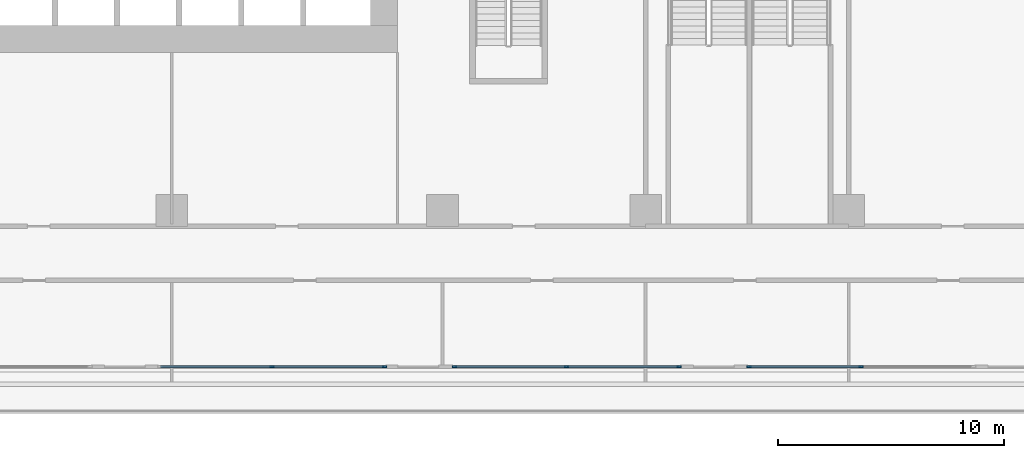
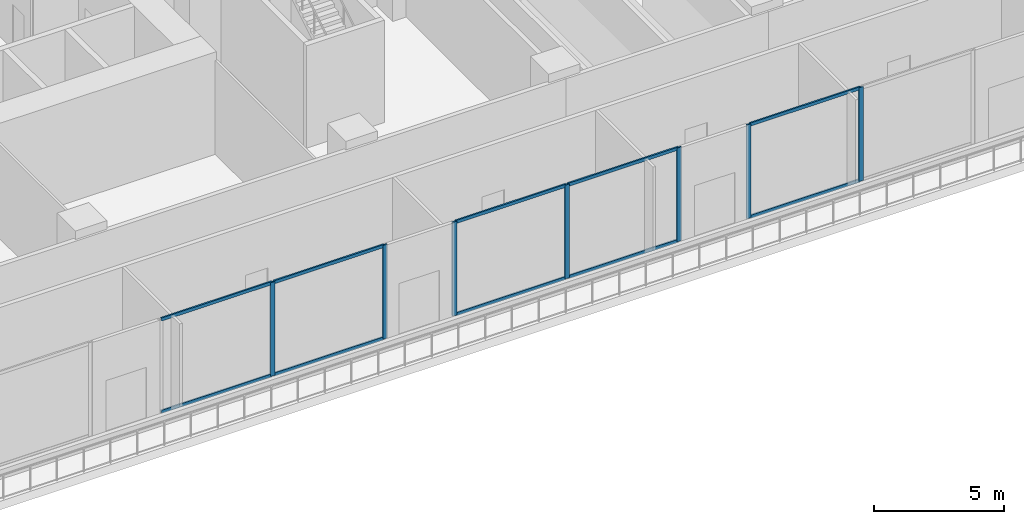
# One storey, part 3 of 25: 17 members, 3 elements without a shape of their own.
"""IFC4 building model written with IfcOpenShell, lengths in metres."""

from ifc_helpers import new_model, si_unit, direction, frame, origin, origin_2d, place, context, subcontext, project, spatial, rectangle, extrude, material, layer, layer_set, material_profile, profile_set, type_object, element, aggregate, save


model = new_model("IFC4")

# Units and contexts
model_context = context("Model", 3, precision=1e-05, world=origin(), true_north=direction((0.0, 1.0)))
body_context = subcontext(model_context, "Body", "Model", "MODEL_VIEW")
ifc_project = project(units=[si_unit("LENGTHUNIT", "METRE"), si_unit("AREAUNIT", "SQUARE_METRE"), si_unit("VOLUMEUNIT", "CUBIC_METRE"), si_unit("PLANEANGLEUNIT", "RADIAN"), si_unit("MASSUNIT", "GRAM", prefix="KILO")], contexts=[model_context])

# Site, building, storey
site_placement = place(None, origin())
site = spatial("IfcSite", under=ifc_project, at=site_placement, CompositionType="ELEMENT")
building_placement = place(site_placement, origin())
building = spatial("IfcBuilding", under=site, at=building_placement, Name="Chenar Terraces", CompositionType="ELEMENT")
storey_placement = place(building_placement, frame((0.0, 0.0, 21.60009765625)))
storey = spatial("IfcBuildingStorey", under=building, at=storey_placement, Name="L04", CompositionType="ELEMENT", Elevation=21.60009765625)

# Curtain wall, members
ifc_material_1 = material(Name="Aluminium framed glazing", Category="aluminium")
ifc_layer = layer(ifc_material_1, 0.14990234375)
ifc_layer_set = layer_set([ifc_layer], Name="Aluminium framed glazing")
curtain_wall_type = type_object("IfcCurtainWallType", Name="School curtain wall", PredefinedType="NOTDEFINED", material=ifc_layer_set)
placement = place(storey_placement, origin())
curtain_wall_1 = element("IfcCurtainWall", 1, at=placement, inside=storey, type_object=curtain_wall_type, Name="School curtain wall", PredefinedType="NOTDEFINED")
ifc_material_2 = material(Name="Aluminium", Category="aluminium")
ifc_material_profile_1 = material_profile(ifc_material_2, rectangle(XDim=0.070068359375, YDim=0.199951171875, at=origin_2d()), Name="School glazing mullion 70 x 200")
ifc_profile_set_1 = profile_set([ifc_material_profile_1], Name="Aluminium")
member_type_1 = type_object("IfcMemberType", Name="School glazing mullion 70 x 200", PredefinedType="MULLION", material=ifc_profile_set_1)
member_1_placement = place(storey_placement, frame((28.44873046875, -6.925048828125, 0.0), z_axis=(0.0, 0.0, 1.0), x_axis=(0.0, 1.0, 0.0)))
member_1 = element("IfcMember", 2, at=member_1_placement, type_object=member_type_1, Name="CW2-07c1 mullion 2", PredefinedType="MULLION", context=body_context, shape_type="SweptSolid", body=[
    extrude(rectangle(XDim=0.070068359375, YDim=0.199951171875, at=origin_2d()), origin(), (0.0, 0.0, 1.0), 4.39990234375),
])
member_2_placement = place(storey_placement, frame((33.4267578125, -6.925048828125, 0.0), z_axis=(0.0, 0.0, 1.0), x_axis=(0.0, 1.0, 0.0)))
member_2 = element("IfcMember", 3, at=member_2_placement, type_object=member_type_1, Name="CW2-07c1 mullion 3", PredefinedType="MULLION", context=body_context, shape_type="SweptSolid", body=[
    extrude(rectangle(XDim=0.070068359375, YDim=0.199951171875, at=origin_2d()), origin(), (0.0, 0.0, 1.0), 4.39990234375),
])

curtain_wall_2 = element("IfcCurtainWall", 4, at=placement, inside=storey, type_object=curtain_wall_type, Name="School curtain wall", PredefinedType="NOTDEFINED")
member_3_placement = place(storey_placement, frame((36.52197265625, -6.925048828125, 0.0), z_axis=(0.0, 0.0, 1.0), x_axis=(0.0, 1.0, 0.0)))
member_3 = element("IfcMember", 5, at=member_3_placement, type_object=member_type_1, Name="CW2-07c2 mullion 1", PredefinedType="MULLION", context=body_context, shape_type="SweptSolid", body=[
    extrude(rectangle(XDim=0.070068359375, YDim=0.199951171875, at=origin_2d()), origin(), (0.0, 0.0, 1.0), 4.39990234375),
])
member_4_placement = place(storey_placement, frame((41.5, -6.925048828125, 0.0), z_axis=(0.0, 0.0, 1.0), x_axis=(0.0, 1.0, 0.0)))
member_4 = element("IfcMember", 6, at=member_4_placement, type_object=member_type_1, Name="CW2-07c2 mullion 2", PredefinedType="MULLION", context=body_context, shape_type="SweptSolid", body=[
    extrude(rectangle(XDim=0.070068359375, YDim=0.199951171875, at=origin_2d()), origin(), (0.0, 0.0, 1.0), 4.39990234375),
])
member_5_placement = place(storey_placement, frame((46.47802734375, -6.925048828125, 0.0), z_axis=(0.0, 0.0, 1.0), x_axis=(0.0, 1.0, 0.0)))
member_5 = element("IfcMember", 7, at=member_5_placement, type_object=member_type_1, Name="CW2-07c2 mullion 3", PredefinedType="MULLION", context=body_context, shape_type="SweptSolid", body=[
    extrude(rectangle(XDim=0.070068359375, YDim=0.199951171875, at=origin_2d()), origin(), (0.0, 0.0, 1.0), 4.39990234375),
])

curtain_wall_3 = element("IfcCurtainWall", 8, at=placement, inside=storey, type_object=curtain_wall_type, Name="School curtain wall", PredefinedType="NOTDEFINED")
member_6_placement = place(storey_placement, frame((49.5732421875, -6.925048828125, 0.0), z_axis=(0.0, 0.0, 1.0), x_axis=(0.0, 1.0, 0.0)))
member_6 = element("IfcMember", 9, at=member_6_placement, type_object=member_type_1, Name="CW2-07c3 mullion 1", PredefinedType="MULLION", context=body_context, shape_type="SweptSolid", body=[
    extrude(rectangle(XDim=0.070068359375, YDim=0.199951171875, at=origin_2d()), origin(), (0.0, 0.0, 1.0), 4.39990234375),
])
member_7_placement = place(storey_placement, frame((54.55126953125, -6.925048828125, 0.0), z_axis=(0.0, 0.0, 1.0), x_axis=(0.0, 1.0, 0.0)))
member_7 = element("IfcMember", 10, at=member_7_placement, type_object=member_type_1, Name="CW2-07c3 mullion 2", PredefinedType="MULLION", context=body_context, shape_type="SweptSolid", body=[
    extrude(rectangle(XDim=0.070068359375, YDim=0.199951171875, at=origin_2d()), origin(), (0.0, 0.0, 1.0), 4.39990234375),
])

# Member
ifc_material_3 = material(Name="Aluminium", Category="aluminium")
ifc_material_profile_2 = material_profile(ifc_material_3, rectangle(XDim=0.070068359375, YDim=0.14990234375, at=origin_2d()), Name="School glazing transom 70 x 150")
ifc_profile_set_2 = profile_set([ifc_material_profile_2], Name="Aluminium")
member_type_2 = type_object("IfcMemberType", Name="School glazing transom 70 x 150", PredefinedType="USERDEFINED", material=ifc_profile_set_2)
member_8_placement = place(storey_placement, frame((23.505615234375, -6.925048828125, 0.034912109375), z_axis=(1.0, 0.0, 0.0), x_axis=(0.0, 1.0, 0.0)))
member_8 = element("IfcMember", 11, at=member_8_placement, type_object=member_type_2, Name="CW2-07c1 transom 1.1", ObjectType="TRANSOM", PredefinedType="USERDEFINED", context=body_context, shape_type="SweptSolid", body=[
    extrude(rectangle(XDim=0.070068359375, YDim=0.14990234375, at=origin_2d()), origin(), (0.0, 0.0, 1.0), 4.908203125),
])

member_9_placement = place(storey_placement, frame((23.505615234375, -6.925048828125, 4.364990234375), z_axis=(1.0, 0.0, 0.0), x_axis=(0.0, 1.0, 0.0)))
member_9 = element("IfcMember", 12, at=member_9_placement, type_object=member_type_2, Name="CW2-07c1 transom 1.2", ObjectType="TRANSOM", PredefinedType="USERDEFINED", context=body_context, shape_type="SweptSolid", body=[
    extrude(rectangle(XDim=0.070068359375, YDim=0.14990234375, at=origin_2d()), origin(), (0.0, 0.0, 1.0), 4.908203125),
])

member_10_placement = place(storey_placement, frame((28.483642578125, -6.925048828125, 0.034912109375), z_axis=(1.0, 0.0, 0.0), x_axis=(0.0, 1.0, 0.0)))
member_10 = element("IfcMember", 13, at=member_10_placement, type_object=member_type_2, Name="CW2-07c1 transom 2.1", ObjectType="TRANSOM", PredefinedType="USERDEFINED", context=body_context, shape_type="SweptSolid", body=[
    extrude(rectangle(XDim=0.070068359375, YDim=0.14990234375, at=origin_2d()), origin(), (0.0, 0.0, 1.0), 4.908203125),
])

member_11_placement = place(storey_placement, frame((28.483642578125, -6.925048828125, 4.364990234375), z_axis=(1.0, 0.0, 0.0), x_axis=(0.0, 1.0, 0.0)))
member_11 = element("IfcMember", 14, at=member_11_placement, type_object=member_type_2, Name="CW2-07c1 transom 2.2", ObjectType="TRANSOM", PredefinedType="USERDEFINED", context=body_context, shape_type="SweptSolid", body=[
    extrude(rectangle(XDim=0.070068359375, YDim=0.14990234375, at=origin_2d()), origin(), (0.0, 0.0, 1.0), 4.908203125),
])

aggregate(curtain_wall_1, [member_1, member_2, member_8, member_9, member_10, member_11])

member_12_placement = place(storey_placement, frame((36.556884765625, -6.925048828125, 0.034912109375), z_axis=(1.0, 0.0, 0.0), x_axis=(0.0, 1.0, 0.0)))
member_12 = element("IfcMember", 15, at=member_12_placement, type_object=member_type_2, Name="CW2-07c2 transom 1.1", ObjectType="TRANSOM", PredefinedType="USERDEFINED", context=body_context, shape_type="SweptSolid", body=[
    extrude(rectangle(XDim=0.070068359375, YDim=0.14990234375, at=origin_2d()), origin(), (0.0, 0.0, 1.0), 4.908203125),
])

member_13_placement = place(storey_placement, frame((36.556884765625, -6.925048828125, 4.364990234375), z_axis=(1.0, 0.0, 0.0), x_axis=(0.0, 1.0, 0.0)))
member_13 = element("IfcMember", 16, at=member_13_placement, type_object=member_type_2, Name="CW2-07c2 transom 1.2", ObjectType="TRANSOM", PredefinedType="USERDEFINED", context=body_context, shape_type="SweptSolid", body=[
    extrude(rectangle(XDim=0.070068359375, YDim=0.14990234375, at=origin_2d()), origin(), (0.0, 0.0, 1.0), 4.908203125),
])

member_14_placement = place(storey_placement, frame((41.534912109375, -6.925048828125, 0.034912109375), z_axis=(1.0, 0.0, 0.0), x_axis=(0.0, 1.0, 0.0)))
member_14 = element("IfcMember", 17, at=member_14_placement, type_object=member_type_2, Name="CW2-07c2 transom 2.1", ObjectType="TRANSOM", PredefinedType="USERDEFINED", context=body_context, shape_type="SweptSolid", body=[
    extrude(rectangle(XDim=0.070068359375, YDim=0.14990234375, at=origin_2d()), origin(), (0.0, 0.0, 1.0), 4.908203125),
])

member_15_placement = place(storey_placement, frame((41.534912109375, -6.925048828125, 4.364990234375), z_axis=(1.0, 0.0, 0.0), x_axis=(0.0, 1.0, 0.0)))
member_15 = element("IfcMember", 18, at=member_15_placement, type_object=member_type_2, Name="CW2-07c2 transom 2.2", ObjectType="TRANSOM", PredefinedType="USERDEFINED", context=body_context, shape_type="SweptSolid", body=[
    extrude(rectangle(XDim=0.070068359375, YDim=0.14990234375, at=origin_2d()), origin(), (0.0, 0.0, 1.0), 4.908203125),
])

aggregate(curtain_wall_2, [member_3, member_4, member_5, member_12, member_13, member_14, member_15])

member_16_placement = place(storey_placement, frame((49.608154296875, -6.925048828125, 0.034912109375), z_axis=(1.0, 0.0, 0.0), x_axis=(0.0, 1.0, 0.0)))
member_16 = element("IfcMember", 19, at=member_16_placement, type_object=member_type_2, Name="CW2-07c3 transom 1.1", ObjectType="TRANSOM", PredefinedType="USERDEFINED", context=body_context, shape_type="SweptSolid", body=[
    extrude(rectangle(XDim=0.070068359375, YDim=0.14990234375, at=origin_2d()), origin(), (0.0, 0.0, 1.0), 4.908203125),
])

member_17_placement = place(storey_placement, frame((49.608154296875, -6.925048828125, 4.364990234375), z_axis=(1.0, 0.0, 0.0), x_axis=(0.0, 1.0, 0.0)))
member_17 = element("IfcMember", 20, at=member_17_placement, type_object=member_type_2, Name="CW2-07c3 transom 1.2", ObjectType="TRANSOM", PredefinedType="USERDEFINED", context=body_context, shape_type="SweptSolid", body=[
    extrude(rectangle(XDim=0.070068359375, YDim=0.14990234375, at=origin_2d()), origin(), (0.0, 0.0, 1.0), 4.908203125),
])

aggregate(curtain_wall_3, [member_6, member_7, member_16, member_17])

save(model, "model.ifc")
